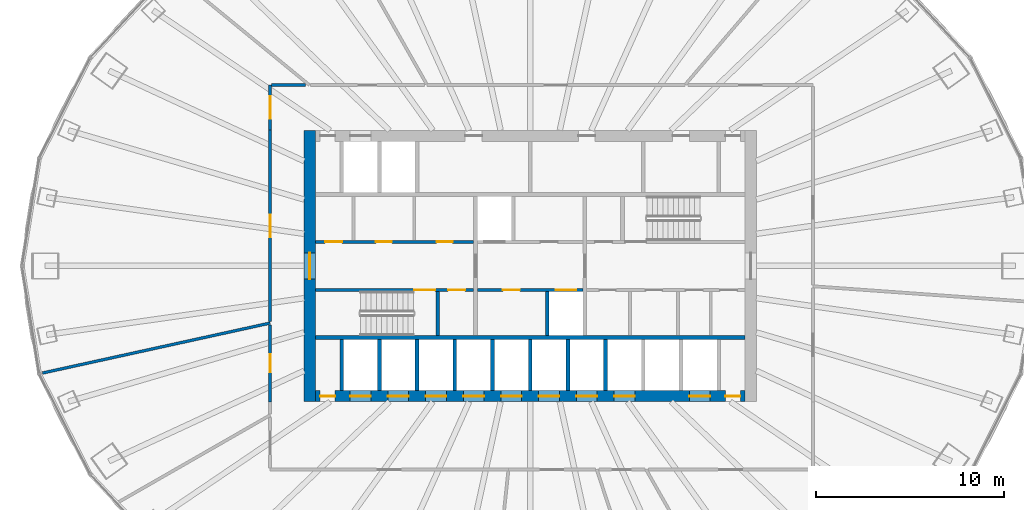
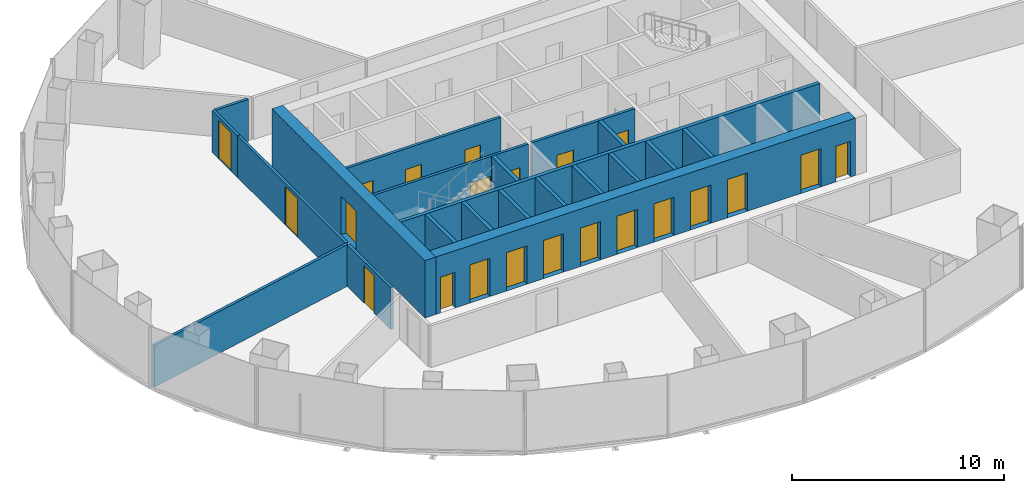
# One storey, part 8 of 11: 22 doors, 21 walls, 22 openings.
"""IFC4 building model written with IfcOpenShell, lengths in metres."""

from ifc_helpers import new_model, si_unit, direction, frame, frame_2d, origin, place, context, subcontext, project, spatial, rectangle, extrude, material, layer, layer_set, type_object, element, fill, save


model = new_model("IFC4")

# Units and contexts
model_context = context("Model", 3, precision=1e-05, world=origin(), true_north=direction((0.0, 1.0)))
body_context = subcontext(model_context, "Body", "Model", "MODEL_VIEW")
ifc_project = project(units=[si_unit("LENGTHUNIT", "METRE"), si_unit("AREAUNIT", "SQUARE_METRE"), si_unit("VOLUMEUNIT", "CUBIC_METRE"), si_unit("PLANEANGLEUNIT", "RADIAN"), si_unit("MASSUNIT", "GRAM", prefix="KILO")], contexts=[model_context])

# Site, building, storey
site_placement = place(None, origin())
site = spatial("IfcSite", under=ifc_project, at=site_placement, CompositionType="ELEMENT")
building_placement = place(site_placement, origin())
building = spatial("IfcBuilding", under=site, at=building_placement, Name="Siaravel Broadcast Tower", CompositionType="ELEMENT")
storey_placement = place(building_placement, frame((0.0, 0.0, 77.800048828125)))
storey = spatial("IfcBuildingStorey", under=building, at=storey_placement, Name="L18", CompositionType="ELEMENT", Elevation=77.800048828125)

# Wall, opening, door
ifc_material_1 = material(Name="Concrete C60/75", Category="concrete")
ifc_layer_1 = layer(ifc_material_1, 0.60009765625)
ifc_layer_set_1 = layer_set([ifc_layer_1], Name="Concrete C60/75")
wall_type_1 = type_object("IfcWallType", Name="Core wall 600", PredefinedType="SHEAR", material=ifc_layer_set_1)
wall_1_placement = place(storey_placement, frame((-11.699951171875, -7.199951171875, 0.0), z_axis=(0.0, 0.0, 1.0), x_axis=(0.0, 1.0, 0.0)))
wall_1 = element("IfcWall", 1, at=wall_1_placement, inside=storey, type_object=wall_type_1, Name="L18 core wall OW", PredefinedType="SHEAR", context=body_context, shape_type="SweptSolid", body=[
    extrude(rectangle(XDim=14.39990234375, YDim=0.60009765625, at=frame_2d((7.199951171875, 0.0))), origin(), (0.0, 0.0, 1.0), 3.300048828125),
])
opening_1_placement = place(wall_1_placement, frame((6.5, 0.0, 0.0)))
opening_1 = element("IfcOpeningElement", 2, at=opening_1_placement, cuts=wall_1, Name="Opening L18-DX-W", PredefinedType="OPENING", context=body_context, shape_type="SweptSolid", body=[
    extrude(rectangle(XDim=1.39990234375, YDim=2.199951171875, at=frame_2d((0.699951171875, 1.10009765625))), frame((0.0, 0.31005859375, 0.0), z_axis=(0.0, -1.0, 0.0), x_axis=(1.0, 0.0, 0.0)), (0.0, 0.0, 1.0), 0.6201171875),
])
ifc_material_2 = material(Name="Steel", Category="steel")
door_type_1 = type_object("IfcDoorType", Name="Core exit door 1400", OperationType="DOUBLE_DOOR_SINGLE_SWING", PredefinedType="DOOR", material=ifc_material_2)
door_1_placement = place(opening_1_placement, origin())
door_1 = element("IfcDoor", 3, at=door_1_placement, inside=storey, type_object=door_type_1, Name="L18 door DX-W", OperationType="DOUBLE_DOOR_SINGLE_SWING", OverallHeight=2.199951171875, OverallWidth=1.39990234375, PredefinedType="DOOR", context=body_context, shape_type="SweptSolid", body=[
    extrude(rectangle(XDim=1.39990234375, YDim=2.199951171875, at=frame_2d((0.699951171875, 1.10009765625))), frame((0.0, 0.02490234375, 0.0), z_axis=(0.0, -1.0, 0.0), x_axis=(1.0, 0.0, 0.0)), (0.0, 0.0, 1.0), 0.050048828125),
])
fill(opening_1, door_1)

# Wall, openings, doors
wall_2_placement = place(storey_placement, frame((-11.39990234375, -6.89990234375, 0.0), z_axis=(0.0, 0.0, 1.0), x_axis=(1.0, 0.0, 0.0)))
wall_2 = element("IfcWall", 4, at=wall_2_placement, inside=storey, type_object=wall_type_1, Name="L18 core wall OS", PredefinedType="SHEAR", context=body_context, shape_type="SweptSolid", body=[
    extrude(rectangle(XDim=22.7998046875, YDim=0.60009765625, at=frame_2d((11.39990234375, 0.0))), origin(), (0.0, 0.0, 1.0), 3.300048828125),
])
opening_2_placement = place(wall_2_placement, frame((1.85009765625, 0.0, 0.0)))
opening_2 = element("IfcOpeningElement", 5, at=opening_2_placement, cuts=wall_2, Name="Opening LD-LP1-L18", PredefinedType="OPENING", context=body_context, shape_type="SweptSolid", body=[
    extrude(rectangle(XDim=1.10009765625, YDim=2.199951171875, at=frame_2d((0.550048828125, 1.10009765625))), frame((0.0, 0.31005859375, 0.0), z_axis=(0.0, -1.0, 0.0), x_axis=(1.0, 0.0, 0.0)), (0.0, 0.0, 1.0), 0.6201171875),
])
opening_3_placement = place(wall_2_placement, frame((3.85009765625, 0.0, 0.0)))
opening_3 = element("IfcOpeningElement", 6, at=opening_3_placement, cuts=wall_2, Name="Opening LD-LP2-L18", PredefinedType="OPENING", context=body_context, shape_type="SweptSolid", body=[
    extrude(rectangle(XDim=1.10009765625, YDim=2.199951171875, at=frame_2d((0.550048828125, 1.10009765625))), frame((0.0, 0.31005859375, 0.0), z_axis=(0.0, -1.0, 0.0), x_axis=(1.0, 0.0, 0.0)), (0.0, 0.0, 1.0), 0.6201171875),
])
opening_4_placement = place(wall_2_placement, frame((5.85009765625, 0.0, 0.0)))
opening_4 = element("IfcOpeningElement", 7, at=opening_4_placement, cuts=wall_2, Name="Opening LD-LP3-L18", PredefinedType="OPENING", context=body_context, shape_type="SweptSolid", body=[
    extrude(rectangle(XDim=1.10009765625, YDim=2.199951171875, at=frame_2d((0.550048828125, 1.10009765625))), frame((0.0, 0.31005859375, 0.0), z_axis=(0.0, -1.0, 0.0), x_axis=(1.0, 0.0, 0.0)), (0.0, 0.0, 1.0), 0.6201171875),
])
opening_5_placement = place(wall_2_placement, frame((7.85009765625, 0.0, 0.0)))
opening_5 = element("IfcOpeningElement", 8, at=opening_5_placement, cuts=wall_2, Name="Opening LD-LP4-L18", PredefinedType="OPENING", context=body_context, shape_type="SweptSolid", body=[
    extrude(rectangle(XDim=1.10009765625, YDim=2.199951171875, at=frame_2d((0.550048828125, 1.10009765625))), frame((0.0, 0.31005859375, 0.0), z_axis=(0.0, -1.0, 0.0), x_axis=(1.0, 0.0, 0.0)), (0.0, 0.0, 1.0), 0.6201171875),
])
opening_6_placement = place(wall_2_placement, frame((9.85009765625, 0.0, 0.0)))
opening_6 = element("IfcOpeningElement", 9, at=opening_6_placement, cuts=wall_2, Name="Opening LD-LP5-L18", PredefinedType="OPENING", context=body_context, shape_type="SweptSolid", body=[
    extrude(rectangle(XDim=1.10009765625, YDim=2.199951171875, at=frame_2d((0.550048828125, 1.10009765625))), frame((0.0, 0.31005859375, 0.0), z_axis=(0.0, -1.0, 0.0), x_axis=(1.0, 0.0, 0.0)), (0.0, 0.0, 1.0), 0.6201171875),
])
opening_7_placement = place(wall_2_placement, frame((11.85009765625, 0.0, 0.0)))
opening_7 = element("IfcOpeningElement", 10, at=opening_7_placement, cuts=wall_2, Name="Opening LD-LP6-L18", PredefinedType="OPENING", context=body_context, shape_type="SweptSolid", body=[
    extrude(rectangle(XDim=1.10009765625, YDim=2.199951171875, at=frame_2d((0.550048828125, 1.10009765625))), frame((0.0, 0.31005859375, 0.0), z_axis=(0.0, -1.0, 0.0), x_axis=(1.0, 0.0, 0.0)), (0.0, 0.0, 1.0), 0.6201171875),
])
opening_8_placement = place(wall_2_placement, frame((13.85009765625, 0.0, 0.0)))
opening_8 = element("IfcOpeningElement", 11, at=opening_8_placement, cuts=wall_2, Name="Opening LD-LP7-L18", PredefinedType="OPENING", context=body_context, shape_type="SweptSolid", body=[
    extrude(rectangle(XDim=1.10009765625, YDim=2.199951171875, at=frame_2d((0.550048828125, 1.10009765625))), frame((0.0, 0.31005859375, 0.0), z_axis=(0.0, -1.0, 0.0), x_axis=(1.0, 0.0, 0.0)), (0.0, 0.0, 1.0), 0.6201171875),
])
opening_9_placement = place(wall_2_placement, frame((15.85009765625, 0.0, 0.0)))
opening_9 = element("IfcOpeningElement", 12, at=opening_9_placement, cuts=wall_2, Name="Opening LD-LP8-L18", PredefinedType="OPENING", context=body_context, shape_type="SweptSolid", body=[
    extrude(rectangle(XDim=1.10009765625, YDim=2.199951171875, at=frame_2d((0.550048828125, 1.10009765625))), frame((0.0, 0.31005859375, 0.0), z_axis=(0.0, -1.0, 0.0), x_axis=(1.0, 0.0, 0.0)), (0.0, 0.0, 1.0), 0.6201171875),
])
opening_10_placement = place(wall_2_placement, frame((19.85009765625, 0.0, 0.0)))
opening_10 = element("IfcOpeningElement", 13, at=opening_10_placement, cuts=wall_2, Name="Opening LD-SV1-L18", PredefinedType="OPENING", context=body_context, shape_type="SweptSolid", body=[
    extrude(rectangle(XDim=1.10009765625, YDim=2.199951171875, at=frame_2d((0.550048828125, 1.10009765625))), frame((0.0, 0.31005859375, 0.0), z_axis=(0.0, -1.0, 0.0), x_axis=(1.0, 0.0, 0.0)), (0.0, 0.0, 1.0), 0.6201171875),
])
opening_11_placement = place(wall_2_placement, frame((0.25, 0.0, 0.0)))
opening_11 = element("IfcOpeningElement", 14, at=opening_11_placement, cuts=wall_2, Name="Opening L18-DRSW", PredefinedType="OPENING", context=body_context, shape_type="SweptSolid", body=[
    extrude(rectangle(XDim=0.800048828125, YDim=2.050048828125, at=frame_2d((0.39990234375, 1.02490234375))), frame((0.0, 0.31005859375, 0.0), z_axis=(0.0, -1.0, 0.0), x_axis=(1.0, 0.0, 0.0)), (0.0, 0.0, 1.0), 0.6201171875),
])
opening_12_placement = place(wall_2_placement, frame((21.75, 0.0, 0.0)))
opening_12 = element("IfcOpeningElement", 15, at=opening_12_placement, cuts=wall_2, Name="Opening L18-DRSE", PredefinedType="OPENING", context=body_context, shape_type="SweptSolid", body=[
    extrude(rectangle(XDim=0.800048828125, YDim=2.050048828125, at=frame_2d((0.39990234375, 1.02490234375))), frame((0.0, 0.31005859375, 0.0), z_axis=(0.0, -1.0, 0.0), x_axis=(1.0, 0.0, 0.0)), (0.0, 0.0, 1.0), 0.6201171875),
])
ifc_material_3 = material(Name="Stainless steel 316L", Category="steel")
door_type_2 = type_object("IfcDoorType", Name="Lift landing door 1100", OperationType="DOUBLE_DOOR_SLIDING", PredefinedType="DOOR", material=ifc_material_3)
door_2_placement = place(opening_2_placement, origin())
door_2 = element("IfcDoor", 16, at=door_2_placement, inside=storey, type_object=door_type_2, Name="Landing door LP1 L18", OperationType="DOUBLE_DOOR_SLIDING", OverallHeight=2.199951171875, OverallWidth=1.10009765625, PredefinedType="DOOR", context=body_context, shape_type="SweptSolid", body=[
    extrude(rectangle(XDim=1.10009765625, YDim=2.199951171875, at=frame_2d((0.550048828125, 1.10009765625))), frame((0.0, 0.02490234375, 0.0), z_axis=(0.0, -1.0, 0.0), x_axis=(1.0, 0.0, 0.0)), (0.0, 0.0, 1.0), 0.050048828125),
])
fill(opening_2, door_2)
door_3_placement = place(opening_3_placement, origin())
door_3 = element("IfcDoor", 17, at=door_3_placement, inside=storey, type_object=door_type_2, Name="Landing door LP2 L18", OperationType="DOUBLE_DOOR_SLIDING", OverallHeight=2.199951171875, OverallWidth=1.10009765625, PredefinedType="DOOR", context=body_context, shape_type="SweptSolid", body=[
    extrude(rectangle(XDim=1.10009765625, YDim=2.199951171875, at=frame_2d((0.550048828125, 1.10009765625))), frame((0.0, 0.02490234375, 0.0), z_axis=(0.0, -1.0, 0.0), x_axis=(1.0, 0.0, 0.0)), (0.0, 0.0, 1.0), 0.050048828125),
])
fill(opening_3, door_3)
door_4_placement = place(opening_4_placement, origin())
door_4 = element("IfcDoor", 18, at=door_4_placement, inside=storey, type_object=door_type_2, Name="Landing door LP3 L18", OperationType="DOUBLE_DOOR_SLIDING", OverallHeight=2.199951171875, OverallWidth=1.10009765625, PredefinedType="DOOR", context=body_context, shape_type="SweptSolid", body=[
    extrude(rectangle(XDim=1.10009765625, YDim=2.199951171875, at=frame_2d((0.550048828125, 1.10009765625))), frame((0.0, 0.02490234375, 0.0), z_axis=(0.0, -1.0, 0.0), x_axis=(1.0, 0.0, 0.0)), (0.0, 0.0, 1.0), 0.050048828125),
])
fill(opening_4, door_4)
door_5_placement = place(opening_5_placement, origin())
door_5 = element("IfcDoor", 19, at=door_5_placement, inside=storey, type_object=door_type_2, Name="Landing door LP4 L18", OperationType="DOUBLE_DOOR_SLIDING", OverallHeight=2.199951171875, OverallWidth=1.10009765625, PredefinedType="DOOR", context=body_context, shape_type="SweptSolid", body=[
    extrude(rectangle(XDim=1.10009765625, YDim=2.199951171875, at=frame_2d((0.550048828125, 1.10009765625))), frame((0.0, 0.02490234375, 0.0), z_axis=(0.0, -1.0, 0.0), x_axis=(1.0, 0.0, 0.0)), (0.0, 0.0, 1.0), 0.050048828125),
])
fill(opening_5, door_5)
door_6_placement = place(opening_6_placement, origin())
door_6 = element("IfcDoor", 20, at=door_6_placement, inside=storey, type_object=door_type_2, Name="Landing door LP5 L18", OperationType="DOUBLE_DOOR_SLIDING", OverallHeight=2.199951171875, OverallWidth=1.10009765625, PredefinedType="DOOR", context=body_context, shape_type="SweptSolid", body=[
    extrude(rectangle(XDim=1.10009765625, YDim=2.199951171875, at=frame_2d((0.550048828125, 1.10009765625))), frame((0.0, 0.02490234375, 0.0), z_axis=(0.0, -1.0, 0.0), x_axis=(1.0, 0.0, 0.0)), (0.0, 0.0, 1.0), 0.050048828125),
])
fill(opening_6, door_6)
door_7_placement = place(opening_7_placement, origin())
door_7 = element("IfcDoor", 21, at=door_7_placement, inside=storey, type_object=door_type_2, Name="Landing door LP6 L18", OperationType="DOUBLE_DOOR_SLIDING", OverallHeight=2.199951171875, OverallWidth=1.10009765625, PredefinedType="DOOR", context=body_context, shape_type="SweptSolid", body=[
    extrude(rectangle(XDim=1.10009765625, YDim=2.199951171875, at=frame_2d((0.550048828125, 1.10009765625))), frame((0.0, 0.02490234375, 0.0), z_axis=(0.0, -1.0, 0.0), x_axis=(1.0, 0.0, 0.0)), (0.0, 0.0, 1.0), 0.050048828125),
])
fill(opening_7, door_7)
door_8_placement = place(opening_8_placement, origin())
door_8 = element("IfcDoor", 22, at=door_8_placement, inside=storey, type_object=door_type_2, Name="Landing door LP7 L18", OperationType="DOUBLE_DOOR_SLIDING", OverallHeight=2.199951171875, OverallWidth=1.10009765625, PredefinedType="DOOR", context=body_context, shape_type="SweptSolid", body=[
    extrude(rectangle(XDim=1.10009765625, YDim=2.199951171875, at=frame_2d((0.550048828125, 1.10009765625))), frame((0.0, 0.02490234375, 0.0), z_axis=(0.0, -1.0, 0.0), x_axis=(1.0, 0.0, 0.0)), (0.0, 0.0, 1.0), 0.050048828125),
])
fill(opening_8, door_8)
door_9_placement = place(opening_9_placement, origin())
door_9 = element("IfcDoor", 23, at=door_9_placement, inside=storey, type_object=door_type_2, Name="Landing door LP8 L18", OperationType="DOUBLE_DOOR_SLIDING", OverallHeight=2.199951171875, OverallWidth=1.10009765625, PredefinedType="DOOR", context=body_context, shape_type="SweptSolid", body=[
    extrude(rectangle(XDim=1.10009765625, YDim=2.199951171875, at=frame_2d((0.550048828125, 1.10009765625))), frame((0.0, 0.02490234375, 0.0), z_axis=(0.0, -1.0, 0.0), x_axis=(1.0, 0.0, 0.0)), (0.0, 0.0, 1.0), 0.050048828125),
])
fill(opening_9, door_9)
door_type_3 = type_object("IfcDoorType", Name="Riser door 800", OperationType="SINGLE_SWING_LEFT", PredefinedType="DOOR", material=ifc_material_2)
door_10_placement = place(opening_11_placement, origin())
door_10 = element("IfcDoor", 24, at=door_10_placement, inside=storey, type_object=door_type_3, Name="L18 door DRSW", OperationType="SINGLE_SWING_LEFT", OverallHeight=2.050048828125, OverallWidth=0.800048828125, PredefinedType="DOOR", context=body_context, shape_type="SweptSolid", body=[
    extrude(rectangle(XDim=0.800048828125, YDim=2.050048828125, at=frame_2d((0.39990234375, 1.02490234375))), frame((0.0, 0.02490234375, 0.0), z_axis=(0.0, -1.0, 0.0), x_axis=(1.0, 0.0, 0.0)), (0.0, 0.0, 1.0), 0.050048828125),
])
fill(opening_11, door_10)
door_11_placement = place(opening_12_placement, origin())
door_11 = element("IfcDoor", 25, at=door_11_placement, inside=storey, type_object=door_type_3, Name="L18 door DRSE", OperationType="SINGLE_SWING_LEFT", OverallHeight=2.050048828125, OverallWidth=0.800048828125, PredefinedType="DOOR", context=body_context, shape_type="SweptSolid", body=[
    extrude(rectangle(XDim=0.800048828125, YDim=2.050048828125, at=frame_2d((0.39990234375, 1.02490234375))), frame((0.0, 0.02490234375, 0.0), z_axis=(0.0, -1.0, 0.0), x_axis=(1.0, 0.0, 0.0)), (0.0, 0.0, 1.0), 0.050048828125),
])
fill(opening_12, door_11)
door_type_4 = type_object("IfcDoorType", Name="Service lift landing door 1100", OperationType="DOUBLE_DOOR_SLIDING", PredefinedType="DOOR", material=ifc_material_3)
door_12_placement = place(opening_10_placement, origin())
door_12 = element("IfcDoor", 26, at=door_12_placement, inside=storey, type_object=door_type_4, Name="Landing door SV1 L18", OperationType="DOUBLE_DOOR_SLIDING", OverallHeight=2.199951171875, OverallWidth=1.10009765625, PredefinedType="DOOR", context=body_context, shape_type="SweptSolid", body=[
    extrude(rectangle(XDim=1.10009765625, YDim=2.199951171875, at=frame_2d((0.550048828125, 1.10009765625))), frame((0.0, 0.02490234375, 0.0), z_axis=(0.0, -1.0, 0.0), x_axis=(1.0, 0.0, 0.0)), (0.0, 0.0, 1.0), 0.050048828125),
])
fill(opening_10, door_12)

ifc_material_4 = material(Name="Gypsum board partition", Category="gypsum")
ifc_layer_2 = layer(ifc_material_4, 0.14990234375)
ifc_layer_set_2 = layer_set([ifc_layer_2], Name="Gypsum board partition")
wall_type_2 = type_object("IfcWallType", Name="Corridor wall 150", PredefinedType="PARTITIONING", material=ifc_layer_set_2)
wall_3_placement = place(storey_placement, frame((-11.39990234375, 1.27490234375, 0.0), z_axis=(0.0, 0.0, 1.0), x_axis=(1.0, 0.0, 0.0)))
wall_3 = element("IfcWall", 27, at=wall_3_placement, inside=storey, type_object=wall_type_2, Name="L18 core partition CNW", PredefinedType="PARTITIONING", context=body_context, shape_type="SweptSolid", body=[
    extrude(rectangle(XDim=8.39990234375, YDim=0.14990234375, at=frame_2d((4.199951171875, 0.0))), origin(), (0.0, 0.0, 1.0), 3.300048828125),
])
opening_13_placement = place(wall_3_placement, frame((0.52197265625, 0.0, 0.0)))
opening_13 = element("IfcOpeningElement", 28, at=opening_13_placement, cuts=wall_3, Name="Opening L18-DNW0", PredefinedType="OPENING", context=body_context, shape_type="SweptSolid", body=[
    extrude(rectangle(XDim=0.89990234375, YDim=2.10009765625, at=frame_2d((0.449951171875, 1.050048828125))), frame((0.0, 0.0849609375, 0.0), z_axis=(0.0, -1.0, 0.0), x_axis=(1.0, 0.0, 0.0)), (0.0, 0.0, 1.0), 0.169921875),
])
opening_14_placement = place(wall_3_placement, frame((3.2080078125, 0.0, 0.0)))
opening_14 = element("IfcOpeningElement", 29, at=opening_14_placement, cuts=wall_3, Name="Opening L18-DNW1", PredefinedType="OPENING", context=body_context, shape_type="SweptSolid", body=[
    extrude(rectangle(XDim=0.85009765625, YDim=2.10009765625, at=frame_2d((0.425048828125, 1.050048828125))), frame((0.0, 0.0849609375, 0.0), z_axis=(0.0, -1.0, 0.0), x_axis=(1.0, 0.0, 0.0)), (0.0, 0.0, 1.0), 0.169921875),
])
opening_15_placement = place(wall_3_placement, frame((6.43603515625, 0.0, 0.0)))
opening_15 = element("IfcOpeningElement", 30, at=opening_15_placement, cuts=wall_3, Name="Opening L18-DNW2", PredefinedType="OPENING", context=body_context, shape_type="SweptSolid", body=[
    extrude(rectangle(XDim=0.85009765625, YDim=2.10009765625, at=frame_2d((0.425048828125, 1.050048828125))), frame((0.0, 0.0849609375, 0.0), z_axis=(0.0, -1.0, 0.0), x_axis=(1.0, 0.0, 0.0)), (0.0, 0.0, 1.0), 0.169921875),
])
ifc_material_5 = material(Name="Timber veneer", Category="wood")
door_type_5 = type_object("IfcDoorType", Name="Core room door 900", OperationType="SINGLE_SWING_LEFT", PredefinedType="DOOR", material=ifc_material_5)
door_13_placement = place(opening_13_placement, origin())
door_13 = element("IfcDoor", 31, at=door_13_placement, inside=storey, type_object=door_type_5, Name="L18 door DNW0", OperationType="SINGLE_SWING_LEFT", OverallHeight=2.10009765625, OverallWidth=0.89990234375, PredefinedType="DOOR", context=body_context, shape_type="SweptSolid", body=[
    extrude(rectangle(XDim=0.89990234375, YDim=2.10009765625, at=frame_2d((0.449951171875, 1.050048828125))), frame((0.0, 0.02490234375, 0.0), z_axis=(0.0, -1.0, 0.0), x_axis=(1.0, 0.0, 0.0)), (0.0, 0.0, 1.0), 0.050048828125),
])
fill(opening_13, door_13)
door_type_6 = type_object("IfcDoorType", Name="Core toilet door 850", OperationType="SINGLE_SWING_LEFT", PredefinedType="DOOR", material=ifc_material_5)
door_14_placement = place(opening_14_placement, origin())
door_14 = element("IfcDoor", 32, at=door_14_placement, inside=storey, type_object=door_type_6, Name="L18 door DNW1", OperationType="SINGLE_SWING_LEFT", OverallHeight=2.10009765625, OverallWidth=0.85009765625, PredefinedType="DOOR", context=body_context, shape_type="SweptSolid", body=[
    extrude(rectangle(XDim=0.85009765625, YDim=2.10009765625, at=frame_2d((0.425048828125, 1.050048828125))), frame((0.0, 0.02490234375, 0.0), z_axis=(0.0, -1.0, 0.0), x_axis=(1.0, 0.0, 0.0)), (0.0, 0.0, 1.0), 0.050048828125),
])
fill(opening_14, door_14)
door_15_placement = place(opening_15_placement, origin())
door_15 = element("IfcDoor", 33, at=door_15_placement, inside=storey, type_object=door_type_6, Name="L18 door DNW2", OperationType="SINGLE_SWING_LEFT", OverallHeight=2.10009765625, OverallWidth=0.85009765625, PredefinedType="DOOR", context=body_context, shape_type="SweptSolid", body=[
    extrude(rectangle(XDim=0.85009765625, YDim=2.10009765625, at=frame_2d((0.425048828125, 1.050048828125))), frame((0.0, 0.02490234375, 0.0), z_axis=(0.0, -1.0, 0.0), x_axis=(1.0, 0.0, 0.0)), (0.0, 0.0, 1.0), 0.050048828125),
])
fill(opening_15, door_15)

# Wall, opening, door
wall_4_placement = place(storey_placement, frame((-13.800048828125, 7.2119140625, 0.0), z_axis=(0.0, 0.0, 1.0), x_axis=(0.0, -1.0, 0.0)))
wall_4 = element("IfcWall", 34, at=wall_4_placement, inside=storey, type_object=wall_type_2, Name="L18 partition 10", PredefinedType="PARTITIONING", context=body_context, shape_type="SweptSolid", body=[
    extrude(rectangle(XDim=10.16552734375, YDim=0.14990234375, at=frame_2d((5.082763671875, 0.0))), origin(), (0.0, 0.0, 1.0), 2.39990234375),
])
opening_16_placement = place(wall_4_placement, frame((4.48291015625, 0.0, 0.0)))
opening_16 = element("IfcOpeningElement", 35, at=opening_16_placement, cuts=wall_4, Name="Opening L18-007", PredefinedType="OPENING", context=body_context, shape_type="SweptSolid", body=[
    extrude(rectangle(XDim=1.199951171875, YDim=2.199951171875, at=frame_2d((0.60009765625, 1.10009765625))), frame((0.0, 0.0849609375, 0.0), z_axis=(0.0, -1.0, 0.0), x_axis=(1.0, 0.0, 0.0)), (0.0, 0.0, 1.0), 0.169921875),
])
door_type_7 = type_object("IfcDoorType", Name="Office double door 1200", OperationType="DOUBLE_DOOR_SINGLE_SWING", PredefinedType="DOOR", material=ifc_material_5)
door_16_placement = place(opening_16_placement, origin())
door_16 = element("IfcDoor", 36, at=door_16_placement, inside=storey, type_object=door_type_7, Name="L18 door to Open plan newsroom", OperationType="DOUBLE_DOOR_SINGLE_SWING", OverallHeight=2.199951171875, OverallWidth=1.199951171875, PredefinedType="DOOR", context=body_context, shape_type="SweptSolid", body=[
    extrude(rectangle(XDim=1.199951171875, YDim=2.199951171875, at=frame_2d((0.60009765625, 1.10009765625))), frame((0.0, 0.02490234375, 0.0), z_axis=(0.0, -1.0, 0.0), x_axis=(1.0, 0.0, 0.0)), (0.0, 0.0, 1.0), 0.050048828125),
])
fill(opening_16, door_16)

wall_5_placement = place(storey_placement, frame((-13.800048828125, -3.1240234375, 0.0), z_axis=(0.0, 0.0, 1.0), x_axis=(0.0, -1.0, 0.0)))
wall_5 = element("IfcWall", 37, at=wall_5_placement, inside=storey, type_object=wall_type_2, Name="L18 partition 19", PredefinedType="PARTITIONING", context=body_context, shape_type="SweptSolid", body=[
    extrude(rectangle(XDim=4.087890625, YDim=0.14990234375, at=frame_2d((2.0439453125, 0.0))), origin(), (0.0, 0.0, 1.0), 2.39990234375),
])
opening_17_placement = place(wall_5_placement, frame((1.569091796875, 0.0, 0.0)))
opening_17 = element("IfcOpeningElement", 38, at=opening_17_placement, cuts=wall_5, Name="Opening L18-009", PredefinedType="OPENING", context=body_context, shape_type="SweptSolid", body=[
    extrude(rectangle(XDim=0.949951171875, YDim=2.14990234375, at=frame_2d((0.47509765625, 1.074951171875))), frame((0.0, 0.0849609375, 0.0), z_axis=(0.0, -1.0, 0.0), x_axis=(1.0, 0.0, 0.0)), (0.0, 0.0, 1.0), 0.169921875),
])
door_type_8 = type_object("IfcDoorType", Name="Office door 950", OperationType="SINGLE_SWING_LEFT", PredefinedType="DOOR", material=ifc_material_5)
door_17_placement = place(opening_17_placement, origin())
door_17 = element("IfcDoor", 39, at=door_17_placement, inside=storey, type_object=door_type_8, Name="L18 door to Graphics studio", OperationType="SINGLE_SWING_LEFT", OverallHeight=2.14990234375, OverallWidth=0.949951171875, PredefinedType="DOOR", context=body_context, shape_type="SweptSolid", body=[
    extrude(rectangle(XDim=0.949951171875, YDim=2.14990234375, at=frame_2d((0.47509765625, 1.074951171875))), frame((0.0, 0.02490234375, 0.0), z_axis=(0.0, -1.0, 0.0), x_axis=(1.0, 0.0, 0.0)), (0.0, 0.0, 1.0), 0.050048828125),
])
fill(opening_17, door_17)

wall_6_placement = place(storey_placement, frame((-13.800048828125, 9.60009765625, 0.0), z_axis=(0.0, 0.0, 1.0), x_axis=(0.0, -1.0, 0.0)))
wall_6 = element("IfcWall", 40, at=wall_6_placement, inside=storey, type_object=wall_type_2, Name="L18 partition 23", PredefinedType="PARTITIONING", context=body_context, shape_type="SweptSolid", body=[
    extrude(rectangle(XDim=2.38720703125, YDim=0.14990234375, at=frame_2d((1.193603515625, 0.0))), origin(), (0.0, 0.0, 1.0), 2.39990234375),
])
opening_18_placement = place(wall_6_placement, frame((0.593505859375, 0.0, 0.0)))
opening_18 = element("IfcOpeningElement", 41, at=opening_18_placement, cuts=wall_6, Name="Opening L18-008", PredefinedType="OPENING", context=body_context, shape_type="SweptSolid", body=[
    extrude(rectangle(XDim=1.199951171875, YDim=2.199951171875, at=frame_2d((0.60009765625, 1.10009765625))), frame((0.0, 0.0849609375, 0.0), z_axis=(0.0, -1.0, 0.0), x_axis=(1.0, 0.0, 0.0)), (0.0, 0.0, 1.0), 0.169921875),
])
door_18_placement = place(opening_18_placement, origin())
door_18 = element("IfcDoor", 42, at=door_18_placement, inside=storey, type_object=door_type_7, Name="L18 door to Open plan newsroom", OperationType="DOUBLE_DOOR_SINGLE_SWING", OverallHeight=2.199951171875, OverallWidth=1.199951171875, PredefinedType="DOOR", context=body_context, shape_type="SweptSolid", body=[
    extrude(rectangle(XDim=1.199951171875, YDim=2.199951171875, at=frame_2d((0.60009765625, 1.10009765625))), frame((0.0, 0.02490234375, 0.0), z_axis=(0.0, -1.0, 0.0), x_axis=(1.0, 0.0, 0.0)), (0.0, 0.0, 1.0), 0.050048828125),
])
fill(opening_18, door_18)

# Walls
wall_7_placement = place(storey_placement, frame((-11.931884765625, 9.60009765625, 0.0), z_axis=(0.0, 0.0, 1.0), x_axis=(-1.0, 0.0, 0.0)))
element("IfcWall", 43, at=wall_7_placement, inside=storey, type_object=wall_type_2, Name="L18 partition 25", PredefinedType="PARTITIONING", context=body_context, shape_type="SweptSolid", body=[
    extrude(rectangle(XDim=1.791015625, YDim=0.14990234375, at=frame_2d((0.8955078125, 0.0))), origin(), (0.0, 0.0, 1.0), 2.39990234375),
])
ifc_layer_3 = layer(ifc_material_4, 0.14990234375)
ifc_layer_set_3 = layer_set([ifc_layer_3], Name="Gypsum board partition")
wall_type_3 = type_object("IfcWallType", Name="Room partition 150", PredefinedType="PARTITIONING", material=ifc_layer_set_3)
wall_8_placement = place(storey_placement, frame((-25.878173828125, -5.6796875, 0.0), z_axis=(0.0, 0.0, 1.0), x_axis=(0.976751402, 0.214375136, 0.0)))
element("IfcWall", 44, at=wall_8_placement, inside=storey, type_object=wall_type_3, Name="L18 partition 3", PredefinedType="PARTITIONING", context=body_context, shape_type="SweptSolid", body=[
    extrude(rectangle(XDim=12.36572265625, YDim=0.14990234375, at=frame_2d((6.182861328125, 0.0))), origin(), (0.0, 0.0, 1.0), 2.39990234375),
])

# Wall, openings, doors
ifc_layer_4 = layer(ifc_material_1, 0.14990234375)
ifc_layer_set_4 = layer_set([ifc_layer_4], Name="Concrete C60/75")
wall_type_4 = type_object("IfcWallType", Name="Shaft wall 150", PredefinedType="SHEAR", material=ifc_layer_set_4)
wall_9_placement = place(storey_placement, frame((-11.39990234375, -1.27490234375, 0.0), z_axis=(0.0, 0.0, 1.0), x_axis=(1.0, 0.0, 0.0)))
wall_9 = element("IfcWall", 45, at=wall_9_placement, inside=storey, type_object=wall_type_4, Name="L18 core wall CSW", PredefinedType="SHEAR", context=body_context, shape_type="SweptSolid", body=[
    extrude(rectangle(XDim=8.39990234375, YDim=0.14990234375, at=frame_2d((4.199951171875, 0.0))), origin(), (0.0, 0.0, 1.0), 3.300048828125),
])
opening_19_placement = place(wall_9_placement, frame((5.25, 0.0, 0.0)))
opening_19 = element("IfcOpeningElement", 46, at=opening_19_placement, cuts=wall_9, Name="Opening L18-DS-1", PredefinedType="OPENING", context=body_context, shape_type="SweptSolid", body=[
    extrude(rectangle(XDim=1.10009765625, YDim=2.14990234375, at=frame_2d((0.550048828125, 1.074951171875))), frame((0.0, 0.0849609375, 0.0), z_axis=(0.0, -1.0, 0.0), x_axis=(1.0, 0.0, 0.0)), (0.0, 0.0, 1.0), 0.169921875),
])
opening_20_placement = place(wall_9_placement, frame((7.050048828125, 0.0, 0.0)))
opening_20 = element("IfcOpeningElement", 47, at=opening_20_placement, cuts=wall_9, Name="Opening L18-DSW0", PredefinedType="OPENING", context=body_context, shape_type="SweptSolid", body=[
    extrude(rectangle(XDim=0.89990234375, YDim=2.10009765625, at=frame_2d((0.449951171875, 1.050048828125))), frame((0.0, 0.0849609375, 0.0), z_axis=(0.0, -1.0, 0.0), x_axis=(1.0, 0.0, 0.0)), (0.0, 0.0, 1.0), 0.169921875),
])
door_19_placement = place(opening_20_placement, origin())
door_19 = element("IfcDoor", 48, at=door_19_placement, inside=storey, type_object=door_type_5, Name="L18 door DSW0", OperationType="SINGLE_SWING_LEFT", OverallHeight=2.10009765625, OverallWidth=0.89990234375, PredefinedType="DOOR", context=body_context, shape_type="SweptSolid", body=[
    extrude(rectangle(XDim=0.89990234375, YDim=2.10009765625, at=frame_2d((0.449951171875, 1.050048828125))), frame((0.0, 0.02490234375, 0.0), z_axis=(0.0, -1.0, 0.0), x_axis=(1.0, 0.0, 0.0)), (0.0, 0.0, 1.0), 0.050048828125),
])
fill(opening_20, door_19)
door_type_9 = type_object("IfcDoorType", Name="Stair door 1100", OperationType="SINGLE_SWING_LEFT", PredefinedType="DOOR", material=ifc_material_2)
door_20_placement = place(opening_19_placement, origin())
door_20 = element("IfcDoor", 49, at=door_20_placement, inside=storey, type_object=door_type_9, Name="L18 door DS-1", OperationType="SINGLE_SWING_LEFT", OverallHeight=2.14990234375, OverallWidth=1.10009765625, PredefinedType="DOOR", context=body_context, shape_type="SweptSolid", body=[
    extrude(rectangle(XDim=1.10009765625, YDim=2.14990234375, at=frame_2d((0.550048828125, 1.074951171875))), frame((0.0, 0.02490234375, 0.0), z_axis=(0.0, -1.0, 0.0), x_axis=(1.0, 0.0, 0.0)), (0.0, 0.0, 1.0), 0.050048828125),
])
fill(opening_19, door_20)

wall_10_placement = place(storey_placement, frame((-2.800048828125, -1.27490234375, 0.0), z_axis=(0.0, 0.0, 1.0), x_axis=(1.0, 0.0, 0.0)))
wall_10 = element("IfcWall", 50, at=wall_10_placement, inside=storey, type_object=wall_type_4, Name="L18 core wall CSM", PredefinedType="SHEAR", context=body_context, shape_type="SweptSolid", body=[
    extrude(rectangle(XDim=5.60009765625, YDim=0.14990234375, at=frame_2d((2.800048828125, 0.0))), origin(), (0.0, 0.0, 1.0), 3.300048828125),
])
opening_21_placement = place(wall_10_placement, frame((4.14990234375, 0.0, 0.0)))
opening_21 = element("IfcOpeningElement", 51, at=opening_21_placement, cuts=wall_10, Name="Opening LD-FL2-L18", PredefinedType="OPENING", context=body_context, shape_type="SweptSolid", body=[
    extrude(rectangle(XDim=1.10009765625, YDim=2.199951171875, at=frame_2d((0.550048828125, 1.10009765625))), frame((0.0, 0.0849609375, 0.0), z_axis=(0.0, -1.0, 0.0), x_axis=(1.0, 0.0, 0.0)), (0.0, 0.0, 1.0), 0.169921875),
])
opening_22_placement = place(wall_10_placement, frame((1.35009765625, 0.0, 0.0)))
opening_22 = element("IfcOpeningElement", 52, at=opening_22_placement, cuts=wall_10, Name="Opening L18-DSM0", PredefinedType="OPENING", context=body_context, shape_type="SweptSolid", body=[
    extrude(rectangle(XDim=0.89990234375, YDim=2.10009765625, at=frame_2d((0.449951171875, 1.050048828125))), frame((0.0, 0.0849609375, 0.0), z_axis=(0.0, -1.0, 0.0), x_axis=(1.0, 0.0, 0.0)), (0.0, 0.0, 1.0), 0.169921875),
])
door_21_placement = place(opening_22_placement, origin())
door_21 = element("IfcDoor", 53, at=door_21_placement, inside=storey, type_object=door_type_5, Name="L18 door DSM0", OperationType="SINGLE_SWING_LEFT", OverallHeight=2.10009765625, OverallWidth=0.89990234375, PredefinedType="DOOR", context=body_context, shape_type="SweptSolid", body=[
    extrude(rectangle(XDim=0.89990234375, YDim=2.10009765625, at=frame_2d((0.449951171875, 1.050048828125))), frame((0.0, 0.02490234375, 0.0), z_axis=(0.0, -1.0, 0.0), x_axis=(1.0, 0.0, 0.0)), (0.0, 0.0, 1.0), 0.050048828125),
])
fill(opening_22, door_21)
door_type_10 = type_object("IfcDoorType", Name="Firefighting lift landing door 1100", OperationType="DOUBLE_DOOR_SLIDING", PredefinedType="DOOR", material=ifc_material_3)
door_22_placement = place(opening_21_placement, origin())
door_22 = element("IfcDoor", 54, at=door_22_placement, inside=storey, type_object=door_type_10, Name="Landing door FL2 L18", OperationType="DOUBLE_DOOR_SLIDING", OverallHeight=2.199951171875, OverallWidth=1.10009765625, PredefinedType="DOOR", context=body_context, shape_type="SweptSolid", body=[
    extrude(rectangle(XDim=1.10009765625, YDim=2.199951171875, at=frame_2d((0.550048828125, 1.10009765625))), frame((0.0, 0.02490234375, 0.0), z_axis=(0.0, -1.0, 0.0), x_axis=(1.0, 0.0, 0.0)), (0.0, 0.0, 1.0), 0.050048828125),
])
fill(opening_21, door_22)

# Walls
ifc_layer_5 = layer(ifc_material_1, 0.199951171875)
ifc_layer_set_5 = layer_set([ifc_layer_5], Name="Concrete C60/75")
wall_type_5 = type_object("IfcWallType", Name="Shaft wall 200", PredefinedType="SHEAR", material=ifc_layer_set_5)
wall_11_placement = place(storey_placement, frame((-11.39990234375, -3.800048828125, 0.0), z_axis=(0.0, 0.0, 1.0), x_axis=(1.0, 0.0, 0.0)))
element("IfcWall", 55, at=wall_11_placement, inside=storey, type_object=wall_type_5, Name="L18 core wall BS", PredefinedType="SHEAR", context=body_context, shape_type="SweptSolid", body=[
    extrude(rectangle(XDim=22.7998046875, YDim=0.199951171875, at=frame_2d((11.39990234375, 0.0))), origin(), (0.0, 0.0, 1.0), 3.300048828125),
])
for number, where, z_axis, x_axis, name in (
    (56, (-10.0, -6.60009765625, 0.0), (0.0, 0.0, 1.0), (0.0, 1.0, 0.0), "L18 core wall SWS0"),
    (57, (-8.0, -6.60009765625, 0.0), (0.0, 0.0, 1.0), (0.0, 1.0, 0.0), "L18 core wall SWS1"),
    (58, (-6.0, -6.60009765625, 0.0), (0.0, 0.0, 1.0), (0.0, 1.0, 0.0), "L18 core wall SWS2"),
    (59, (-4.0, -6.60009765625, 0.0), (0.0, 0.0, 1.0), (0.0, 1.0, 0.0), "L18 core wall SWS3"),
    (60, (-2.0, -6.60009765625, 0.0), (0.0, 0.0, 1.0), (0.0, 1.0, 0.0), "L18 core wall SWS4"),
    (61, (0.0, -6.60009765625, 0.0), (0.0, 0.0, 1.0), (0.0, 1.0, 0.0), "L18 core wall SWS5"),
    (62, (2.0, -6.60009765625, 0.0), (0.0, 0.0, 1.0), (0.0, 1.0, 0.0), "L18 core wall SWS6"),
    (63, (4.0, -6.60009765625, 0.0), (0.0, 0.0, 1.0), (0.0, 1.0, 0.0), "L18 core wall SWS7"),
):
    element("IfcWall", number, at=place(storey_placement, frame(where, z_axis=z_axis, x_axis=x_axis)), inside=storey, type_object=wall_type_5, Name=name, PredefinedType="SHEAR", context=body_context, shape_type="SweptSolid", body=[
        extrude(rectangle(XDim=2.7001953125, YDim=0.199951171875, at=frame_2d((1.35009765625, 0.0))), origin(), (0.0, 0.0, 1.0), 3.300048828125),
    ])
for number, where, z_axis, x_axis, name in (
    (64, (0.89990234375, -3.699951171875, 0.0), (0.0, 0.0, 1.0), (0.0, 1.0, 0.0), "L18 core wall FF2W"),
    (65, (-4.89990234375, -3.699951171875, 0.0), (0.0, 0.0, 1.0), (0.0, 1.0, 0.0), "L18 core wall ST1E"),
):
    element("IfcWall", number, at=place(storey_placement, frame(where, z_axis=z_axis, x_axis=x_axis)), inside=storey, type_object=wall_type_5, Name=name, PredefinedType="SHEAR", context=body_context, shape_type="SweptSolid", body=[
        extrude(rectangle(XDim=2.349853515625, YDim=0.199951171875, at=frame_2d((1.1748046875, 0.0))), origin(), (0.0, 0.0, 1.0), 3.300048828125),
    ])

save(model, "model.ifc")
